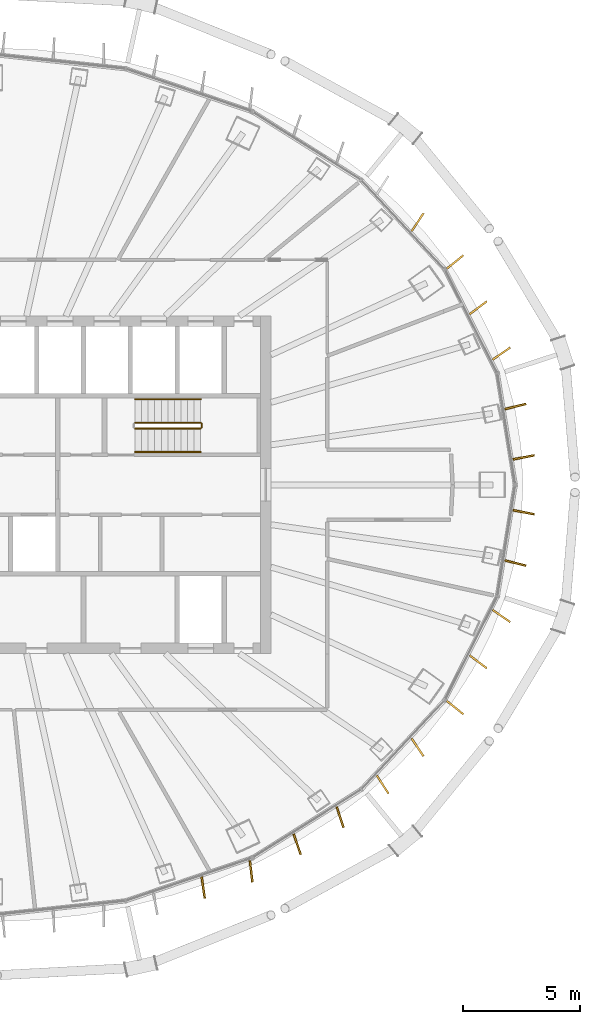
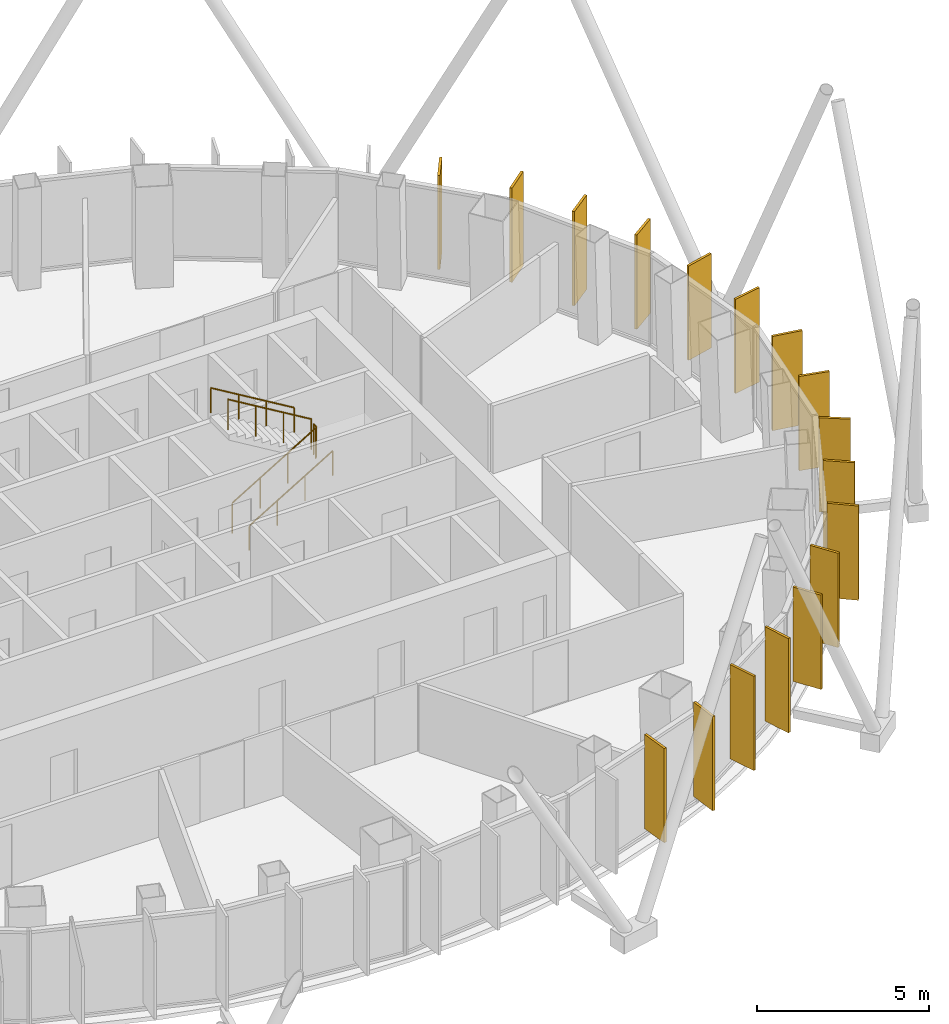
# One storey, part 17 of 18: 17 shading devices, 5 railings.
"""IFC4 building model written with IfcOpenShell, lengths in metres."""

from ifc_helpers import new_model, si_unit, direction, frame, origin, origin_2d, place, context, subcontext, project, spatial, rectangle, circle, extrude, material, layer, layer_set, type_object, element, save


model = new_model("IFC4")

# Units and contexts
model_context = context("Model", 3, precision=1e-05, world=origin(), true_north=direction((0.0, 1.0)))
body_context = subcontext(model_context, "Body", "Model", "MODEL_VIEW")
ifc_project = project(units=[si_unit("LENGTHUNIT", "METRE"), si_unit("AREAUNIT", "SQUARE_METRE"), si_unit("VOLUMEUNIT", "CUBIC_METRE"), si_unit("PLANEANGLEUNIT", "RADIAN"), si_unit("MASSUNIT", "GRAM", prefix="KILO")], contexts=[model_context])

# Site, building, storey
site_placement = place(None, origin())
site = spatial("IfcSite", under=ifc_project, at=site_placement, CompositionType="ELEMENT")
building_placement = place(site_placement, origin())
building = spatial("IfcBuilding", under=site, at=building_placement, Name="Siaravel Broadcast Tower", CompositionType="ELEMENT")
storey_placement = place(building_placement, frame((0.0, 0.0, 201.5)))
storey = spatial("IfcBuildingStorey", under=building, at=storey_placement, Name="L49", CompositionType="ELEMENT", Elevation=201.5)

# Shading devices
ifc_material_1 = material(Name="Bronze anodised aluminium", Category="aluminium")
ifc_layer = layer(ifc_material_1, 0.080078125)
ifc_layer_set = layer_set([ifc_layer], Name="Bronze anodised aluminium")
shading_device_type = type_object("IfcShadingDeviceType", Name="Bronze fin zone 3", PredefinedType="USERDEFINED", material=ifc_layer_set)
for number, where, z_axis, x_axis, name in (
    (1, (22.78271484375, 1.17041015625, 0.300048828125), (0.0, 0.0, 1.0), (0.982379358, 0.186897827, 0.0), "Bronze fin L49-01"),
    (2, (22.4326171875, 3.340087890625, 0.300048828125), (0.0, 0.0, 1.0), (0.970325697, 0.241801656, 0.0), "Bronze fin L49-02"),
    (3, (21.83447265625, 5.599365234375, 0.300048828125), (0.0, 0.0, 1.0), (0.82324339, 0.567688577, 0.0), "Bronze fin L49-03"),
    (4, (20.843017578125, 7.553466796875, 0.300048828125), (0.0, 0.0, 1.0), (0.798238298, 0.60234178, 0.0), "Bronze fin L49-04"),
    (5, (19.853515625, 9.50390625, 0.300048828125), (0.0, 0.0, 1.0), (0.777761775, 0.628559163, 0.0), "Bronze fin L49-05"),
    (6, (18.255859375, 11.203857421875, 0.300048828125), (0.0, 0.0, 1.0), (0.552260044, 0.833671904, 0.0), "Bronze fin L49-06"),
    (7, (9.10888671875, -17.191162109375, 0.300048828125), (0.0, 0.0, 1.0), (0.145535672, -0.989353005, 0.0), "Bronze fin L49-49"),
    (8, (11.152587890625, -16.4951171875, 0.300048828125), (0.0, 0.0, 1.0), (0.116934211, -0.993139663, 0.0), "Bronze fin L49-50"),
    (9, (13.117431640625, -15.340087890625, 0.300048828125), (0.0, 0.0, 1.0), (0.324115559, -0.946017497, 0.0), "Bronze fin L49-51"),
    (10, (14.951416015625, -14.185791015625, 0.300048828125), (0.0, 0.0, 1.0), (0.313276517, -0.949661952, 0.0), "Bronze fin L49-52"),
    (11, (16.766845703125, -12.79150390625, 0.300048828125), (0.0, 0.0, 1.0), (0.543523171, -0.839394164, 0.0), "Bronze fin L49-53"),
    (12, (18.255859375, -11.203857421875, 0.300048828125), (0.0, 0.0, 1.0), (0.552260044, -0.833671904, 0.0), "Bronze fin L49-54"),
    (13, (19.853515625, -9.50390625, 0.300048828125), (0.0, 0.0, 1.0), (0.777761775, -0.628559163, 0.0), "Bronze fin L49-55"),
    (14, (20.843017578125, -7.553466796875, 0.300048828125), (0.0, 0.0, 1.0), (0.798238298, -0.60234178, 0.0), "Bronze fin L49-56"),
    (15, (21.83447265625, -5.599365234375, 0.300048828125), (0.0, 0.0, 1.0), (0.82324339, -0.567688577, 0.0), "Bronze fin L49-57"),
    (16, (22.4326171875, -3.340087890625, 0.300048828125), (0.0, 0.0, 1.0), (0.970325697, -0.241801656, 0.0), "Bronze fin L49-58"),
    (17, (22.78271484375, -1.17041015625, 0.300048828125), (0.0, 0.0, 1.0), (0.982379358, -0.186897827, 0.0), "Bronze fin L49-59"),
):
    element("IfcShadingDevice", number, at=place(storey_placement, frame(where, z_axis=z_axis, x_axis=x_axis)), inside=storey, type_object=shading_device_type, Name=name, ObjectType="FIN", PredefinedType="USERDEFINED", context=body_context, shape_type="SweptSolid", body=[
        extrude(rectangle(XDim=0.919921875, YDim=0.080078125, at=origin_2d()), origin(), (0.0, 0.0, 1.0), 3.35009765625),
    ])

# Railings
ifc_material_2 = material(Name="Stainless steel 316L", Category="steel")
railing_type_1 = type_object("IfcRailingType", Name="Stair guard 1100", PredefinedType="GUARDRAIL", material=ifc_material_2)
railing_1_placement = place(storey_placement, frame((6.199951171875, 2.39990234375, 0.168212890625)))
element("IfcRailing", 18, at=railing_1_placement, inside=storey, type_object=railing_type_1, Name="L49 ST-2 stair guard 1", PredefinedType="GUARDRAIL", context=body_context, shape_type="SweptSolid", body=[
    extrude(circle(Radius=0.02392578125, at=origin_2d()), frame((0.0, 0.0, 1.076171875), z_axis=(0.857242211, 0.0, 0.514913383), x_axis=(0.0, 1.0, 0.0)), (0.0, 0.0, 1.0), 3.266357421875),
    extrude(circle(Radius=0.02099609375, at=origin_2d()), origin(), (0.0, 0.0, 1.0), 1.052001953125),
    extrude(circle(Radius=0.02099609375, at=origin_2d()), frame((0.933349609375, 0.0, 0.560546875)), (0.0, 0.0, 1.0), 1.052001953125),
    extrude(circle(Radius=0.02099609375, at=origin_2d()), frame((1.86669921875, 0.0, 1.121337890625)), (0.0, 0.0, 1.0), 1.052001953125),
    extrude(circle(Radius=0.02099609375, at=origin_2d()), frame((2.800048828125, 0.0, 1.681884765625)), (0.0, 0.0, 1.0), 1.052001953125),
])
railing_2_placement = place(storey_placement, frame((9.050048828125, 2.449951171875, 1.85009765625)))
element("IfcRailing", 19, at=railing_2_placement, inside=storey, type_object=railing_type_1, Name="L49 ST-2 stair guard 2", PredefinedType="GUARDRAIL", context=body_context, shape_type="SweptSolid", body=[
    extrude(circle(Radius=0.02392578125, at=origin_2d()), frame((0.0, 0.0, 1.076171875), z_axis=(0.0, 1.0, 0.0), x_axis=(-1.0, 0.0, 0.0)), (0.0, 0.0, 1.0), 0.150146484375),
    extrude(circle(Radius=0.02099609375, at=origin_2d()), origin(), (0.0, 0.0, 1.0), 1.052001953125),
    extrude(circle(Radius=0.02099609375, at=origin_2d()), frame((0.0, 0.150146484375, 0.0)), (0.0, 0.0, 1.0), 1.052001953125),
])
railing_3_placement = place(storey_placement, frame((9.0, 2.64990234375, 2.01806640625)))
element("IfcRailing", 20, at=railing_3_placement, inside=storey, type_object=railing_type_1, Name="L49 ST-2 stair guard 3", PredefinedType="GUARDRAIL", context=body_context, shape_type="SweptSolid", body=[
    extrude(circle(Radius=0.02392578125, at=origin_2d()), frame((0.0, 0.0, 1.076171875), z_axis=(-0.857242211, 0.0, 0.514913383), x_axis=(0.0, -1.0, 0.0)), (0.0, 0.0, 1.0), 3.266357421875),
    extrude(circle(Radius=0.02099609375, at=origin_2d()), origin(), (0.0, 0.0, 1.0), 1.052001953125),
    extrude(circle(Radius=0.02099609375, at=origin_2d()), frame((-0.933349609375, 0.0, 0.560546875)), (0.0, 0.0, 1.0), 1.052001953125),
    extrude(circle(Radius=0.02099609375, at=origin_2d()), frame((-1.86669921875, 0.0, 1.121337890625)), (0.0, 0.0, 1.0), 1.052001953125),
    extrude(circle(Radius=0.02099609375, at=origin_2d()), frame((-2.800048828125, 0.0, 1.681884765625)), (0.0, 0.0, 1.0), 1.052001953125),
])
railing_type_2 = type_object("IfcRailingType", Name="Stair handrail 900", PredefinedType="HANDRAIL", material=ifc_material_2)
railing_4_placement = place(storey_placement, frame((6.199951171875, 1.39990234375, 0.168212890625)))
element("IfcRailing", 21, at=railing_4_placement, inside=storey, type_object=railing_type_2, Name="L49 ST-2 stair handrail 1", PredefinedType="HANDRAIL", context=body_context, shape_type="SweptSolid", body=[
    extrude(circle(Radius=0.02392578125, at=origin_2d()), frame((0.0, 0.0, 0.8759765625), z_axis=(0.857242211, 0.0, 0.514913383), x_axis=(0.0, 1.0, 0.0)), (0.0, 0.0, 1.0), 3.266357421875),
    extrude(circle(Radius=0.02099609375, at=origin_2d()), origin(), (0.0, 0.0, 1.0), 0.851806640625),
    extrude(circle(Radius=0.02099609375, at=origin_2d()), frame((0.933349609375, 0.0, 0.560546875)), (0.0, 0.0, 1.0), 0.851806640625),
    extrude(circle(Radius=0.02099609375, at=origin_2d()), frame((1.86669921875, 0.0, 1.121337890625)), (0.0, 0.0, 1.0), 0.851806640625),
    extrude(circle(Radius=0.02099609375, at=origin_2d()), frame((2.800048828125, 0.0, 1.681884765625)), (0.0, 0.0, 1.0), 0.851806640625),
])
railing_5_placement = place(storey_placement, frame((9.0, 3.64990234375, 2.01806640625)))
element("IfcRailing", 22, at=railing_5_placement, inside=storey, type_object=railing_type_2, Name="L49 ST-2 stair handrail 2", PredefinedType="HANDRAIL", context=body_context, shape_type="SweptSolid", body=[
    extrude(circle(Radius=0.02392578125, at=origin_2d()), frame((0.0, 0.0, 0.8759765625), z_axis=(-0.857242211, 0.0, 0.514913383), x_axis=(0.0, -1.0, 0.0)), (0.0, 0.0, 1.0), 3.266357421875),
    extrude(circle(Radius=0.02099609375, at=origin_2d()), origin(), (0.0, 0.0, 1.0), 0.851806640625),
    extrude(circle(Radius=0.02099609375, at=origin_2d()), frame((-0.933349609375, 0.0, 0.560546875)), (0.0, 0.0, 1.0), 0.851806640625),
    extrude(circle(Radius=0.02099609375, at=origin_2d()), frame((-1.86669921875, 0.0, 1.121337890625)), (0.0, 0.0, 1.0), 0.851806640625),
    extrude(circle(Radius=0.02099609375, at=origin_2d()), frame((-2.800048828125, 0.0, 1.681884765625)), (0.0, 0.0, 1.0), 0.851806640625),
])

save(model, "model.ifc")
